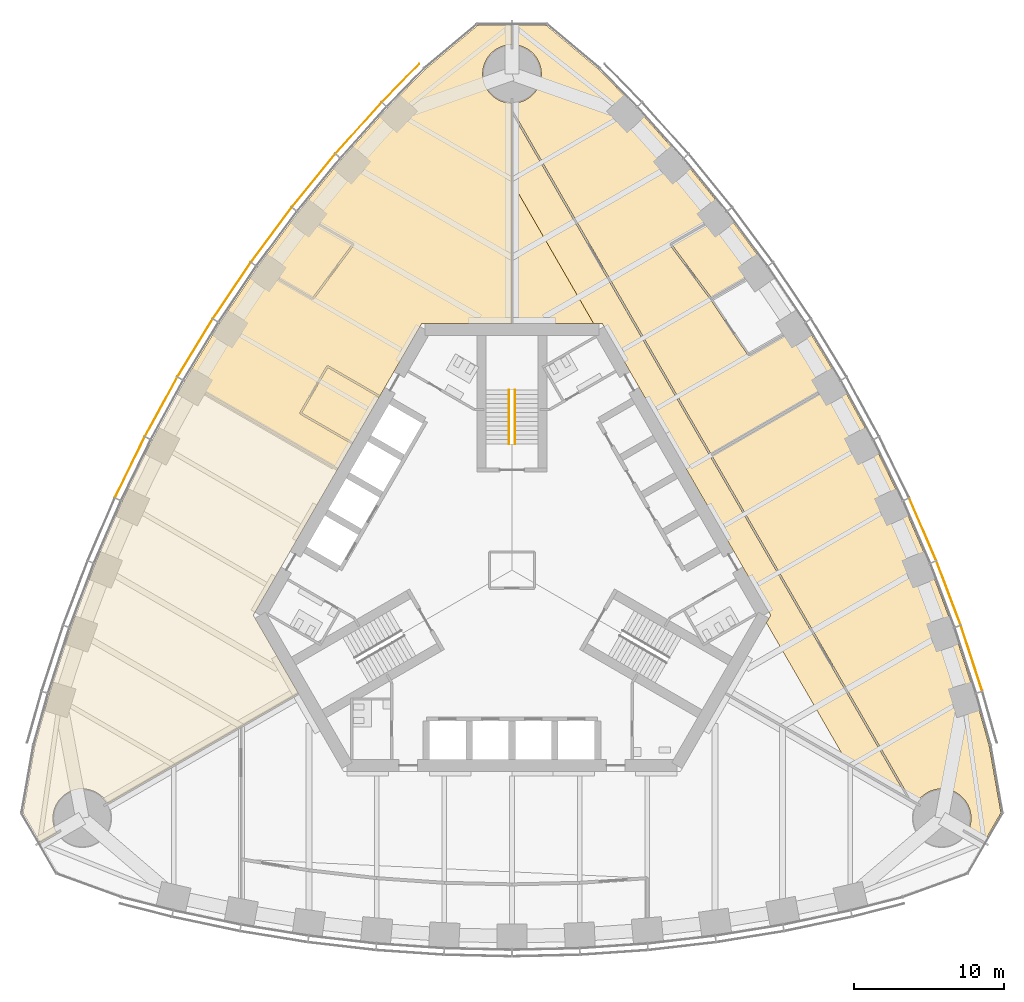
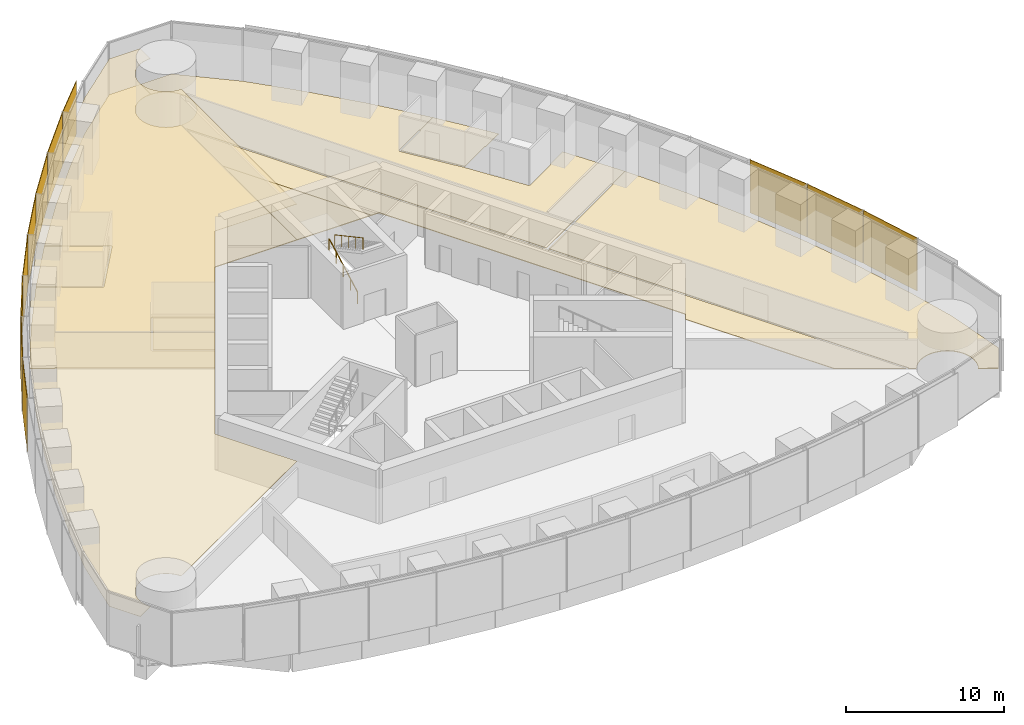
# One storey, part 15 of 18: 11 shading devices, 9 coverings, 2 railings.
"""IFC4 building model written with IfcOpenShell, lengths in metres."""

from ifc_helpers import new_model, si_unit, direction, frame, origin, origin_2d, place, context, subcontext, project, spatial, polyline, rectangle, circle, outline, extrude, material, layer, layer_set, type_object, element, save


model = new_model("IFC4")

# Units and contexts
model_context = context("Model", 3, precision=1e-05, world=origin(), true_north=direction((0.0, 1.0)))
body_context = subcontext(model_context, "Body", "Model", "MODEL_VIEW")
ifc_project = project(units=[si_unit("LENGTHUNIT", "METRE"), si_unit("AREAUNIT", "SQUARE_METRE"), si_unit("VOLUMEUNIT", "CUBIC_METRE"), si_unit("PLANEANGLEUNIT", "RADIAN"), si_unit("MASSUNIT", "GRAM", prefix="KILO")], contexts=[model_context])

# Site, building, storey
site_placement = place(None, origin())
site = spatial("IfcSite", under=ifc_project, at=site_placement, CompositionType="ELEMENT")
building_placement = place(site_placement, origin())
building = spatial("IfcBuilding", under=site, at=building_placement, Name="Trefoil Bronze Tower", CompositionType="ELEMENT")
storey_placement = place(building_placement, frame((0.0, 0.0, 198.10009765625)))
storey = spatial("IfcBuildingStorey", under=building, at=storey_placement, Name="L45", CompositionType="ELEMENT", Elevation=198.10009765625)

# Shading devices
ifc_material_1 = material(Name="Perforated bronze sheet", Category="bronze")
ifc_layer_1 = layer(ifc_material_1, 0.0400390625)
ifc_layer_set_1 = layer_set([ifc_layer_1], Name="Bronze solar screen panel")
shading_device_type = type_object("IfcShadingDeviceType", Name="Bronze solar screen panel", PredefinedType="SHUTTER", material=ifc_layer_set_1)
shading_device_1_placement = place(storey_placement, frame((30.5634765625, -5.86572265625, 0.0498046875), z_axis=(0.0, 0.0, 1.0), x_axis=(-0.310148591821, 0.950688093431, 0.0)))
element("IfcShadingDevice", 1, at=shading_device_1_placement, inside=storey, type_object=shading_device_type, Name="Solar screen CW-A L45 F2 bay 2", PredefinedType="SHUTTER", context=body_context, shape_type="SweptSolid", body=[
    extrude(rectangle(XDim=4.5693359375, YDim=0.0400390625, at=origin_2d()), origin(), (0.0, 0.0, 1.0), 4.10009765625),
])
shading_device_2_placement = place(storey_placement, frame((29.0341796875, -1.52392578125, 0.0498046875), z_axis=(0.0, 0.0, 1.0), x_axis=(-0.354233936517, 0.935156841508, 0.0)))
element("IfcShadingDevice", 2, at=shading_device_2_placement, inside=storey, type_object=shading_device_type, Name="Solar screen CW-A L45 F2 bay 3", PredefinedType="SHUTTER", context=body_context, shape_type="SweptSolid", body=[
    extrude(rectangle(XDim=4.529296875, YDim=0.0400390625, at=origin_2d()), origin(), (0.0, 0.0, 1.0), 4.10009765625),
])
shading_device_3_placement = place(storey_placement, frame((27.317626953125, 2.709716796875, 0.0498046875), z_axis=(0.0, 0.0, 1.0), x_axis=(-0.397220305764, 0.917723285467, 0.0)))
element("IfcShadingDevice", 3, at=shading_device_3_placement, inside=storey, type_object=shading_device_type, Name="Solar screen CW-A L45 F2 bay 4", PredefinedType="SHUTTER", context=body_context, shape_type="SweptSolid", body=[
    extrude(rectangle(XDim=4.5, YDim=0.0400390625, at=origin_2d()), origin(), (0.0, 0.0, 1.0), 4.10009765625),
])
shading_device_4_placement = place(storey_placement, frame((-7.40478515625, 32.40380859375, 0.0498046875), z_axis=(0.0, 0.0, 1.0), x_axis=(-0.698651812425, -0.715461840349, 0.0)))
element("IfcShadingDevice", 4, at=shading_device_4_placement, inside=storey, type_object=shading_device_type, Name="Solar screen CW-A L45 F3 bay 1", PredefinedType="SHUTTER", context=body_context, shape_type="SweptSolid", body=[
    extrude(rectangle(XDim=3.53369140625, YDim=0.0400390625, at=origin_2d()), origin(), (0.0, 0.0, 1.0), 4.10009765625),
])
shading_device_5_placement = place(storey_placement, frame((-10.20166015625, 29.401611328125, 0.0498046875), z_axis=(0.0, 0.0, 1.0), x_axis=(-0.668245744076, -0.743940606181, 0.0)))
element("IfcShadingDevice", 5, at=shading_device_5_placement, inside=storey, type_object=shading_device_type, Name="Solar screen CW-A L45 F3 bay 2", PredefinedType="SHUTTER", context=body_context, shape_type="SweptSolid", body=[
    extrude(rectangle(XDim=4.5693359375, YDim=0.0400390625, at=origin_2d()), origin(), (0.0, 0.0, 1.0), 4.10009765625),
])
shading_device_6_placement = place(storey_placement, frame((-13.197509765625, 25.90625, 0.0498046875), z_axis=(0.0, 0.0, 1.0), x_axis=(-0.63275261301, -0.774354008661, 0.0)))
element("IfcShadingDevice", 6, at=shading_device_6_placement, inside=storey, type_object=shading_device_type, Name="Solar screen CW-A L45 F3 bay 3", PredefinedType="SHUTTER", context=body_context, shape_type="SweptSolid", body=[
    extrude(rectangle(XDim=4.529296875, YDim=0.0400390625, at=origin_2d()), origin(), (0.0, 0.0, 1.0), 4.10009765625),
])
shading_device_7_placement = place(storey_placement, frame((-16.005615234375, 22.302734375, 0.0498046875), z_axis=(0.0, 0.0, 1.0), x_axis=(-0.596161525977, -0.802864518425, 0.0)))
element("IfcShadingDevice", 7, at=shading_device_7_placement, inside=storey, type_object=shading_device_type, Name="Solar screen CW-A L45 F3 bay 4", PredefinedType="SHUTTER", context=body_context, shape_type="SweptSolid", body=[
    extrude(rectangle(XDim=4.5, YDim=0.0400390625, at=origin_2d()), origin(), (0.0, 0.0, 1.0), 4.10009765625),
])
shading_device_8_placement = place(storey_placement, frame((-18.6298828125, 18.59326171875, 0.0498046875), z_axis=(0.0, 0.0, 1.0), x_axis=(-0.558493494706, -0.829508900718, 0.0)))
element("IfcShadingDevice", 8, at=shading_device_8_placement, inside=storey, type_object=shading_device_type, Name="Solar screen CW-A L45 F3 bay 5", PredefinedType="SHUTTER", context=body_context, shape_type="SweptSolid", body=[
    extrude(rectangle(XDim=4.480712890625, YDim=0.0400390625, at=origin_2d()), origin(), (0.0, 0.0, 1.0), 4.10009765625),
])
for number, where, z_axis, x_axis, name in (
    (9, (-21.07275390625, 14.77880859375, 0.0498046875), (0.0, 0.0, 1.0), (-0.519762112739, -0.854311035959, 0.0), "Solar screen CW-A L45 F3 bay 6"),
    (10, (-23.3349609375, 10.860107421875, 0.0498046875), (0.0, 0.0, 1.0), (-0.479974003504, -0.877282711536, 0.0), "Solar screen CW-A L45 F3 bay 7"),
):
    element("IfcShadingDevice", number, at=place(storey_placement, frame(where, z_axis=z_axis, x_axis=x_axis)), inside=storey, type_object=shading_device_type, Name=name, PredefinedType="SHUTTER", context=body_context, shape_type="SweptSolid", body=[
        extrude(rectangle(XDim=4.47119140625, YDim=0.0400390625, at=origin_2d()), origin(), (0.0, 0.0, 1.0), 4.10009765625),
    ])
shading_device_9_placement = place(storey_placement, frame((-25.4169921875, 6.83740234375, 0.0498046875), z_axis=(0.0, 0.0, 1.0), x_axis=(-0.439129033334, -0.898424004623, 0.0)))
element("IfcShadingDevice", 11, at=shading_device_9_placement, inside=storey, type_object=shading_device_type, Name="Solar screen CW-A L45 F3 bay 8", PredefinedType="SHUTTER", context=body_context, shape_type="SweptSolid", body=[
    extrude(rectangle(XDim=4.480712890625, YDim=0.0400390625, at=origin_2d()), origin(), (0.0, 0.0, 1.0), 4.10009765625),
])

# Railings
ifc_material_2 = material(Name="Steel handrail", Category="steel")
railing_type = type_object("IfcRailingType", Name="Handrail 900", PredefinedType="HANDRAIL", material=ifc_material_2)
railing_1_placement = place(storey_placement, frame((-0.199951171875, 8.389892578125, 0.161376953125)))
element("IfcRailing", 12, at=railing_1_placement, inside=storey, type_object=railing_type, Name="Handrail ST2 flight 1 L45", PredefinedType="HANDRAIL", context=body_context, shape_type="SweptSolid", body=[
    extrude(circle(Radius=0.02392578125, at=origin_2d()), frame((0.0, 0.0, 0.8759765625), z_axis=(0.0, 0.880474934443, 0.474092701714), x_axis=(-1.0, 0.0, 0.0)), (0.0, 0.0, 1.0), 4.0888671875),
    extrude(circle(Radius=0.02099609375, at=origin_2d()), origin(), (0.0, 0.0, 1.0), 0.851806640625),
    extrude(circle(Radius=0.02099609375, at=origin_2d()), frame((0.0, 0.89990234375, 0.484619140625)), (0.0, 0.0, 1.0), 0.851806640625),
    extrude(circle(Radius=0.02099609375, at=origin_2d()), frame((0.0, 1.800048828125, 0.96923828125)), (0.0, 0.0, 1.0), 0.851806640625),
    extrude(circle(Radius=0.02099609375, at=origin_2d()), frame((0.0, 2.7001953125, 1.453857421875)), (0.0, 0.0, 1.0), 0.851806640625),
    extrude(circle(Radius=0.02099609375, at=origin_2d()), frame((0.0, 3.60009765625, 1.9384765625)), (0.0, 0.0, 1.0), 0.851806640625),
])
railing_2_placement = place(storey_placement, frame((0.199951171875, 11.989990234375, 2.261474609375)))
element("IfcRailing", 13, at=railing_2_placement, inside=storey, type_object=railing_type, Name="Handrail ST2 flight 2 L45", PredefinedType="HANDRAIL", context=body_context, shape_type="SweptSolid", body=[
    extrude(circle(Radius=0.02392578125, at=origin_2d()), frame((0.0, 0.0, 0.8759765625), z_axis=(0.0, -0.880474934443, 0.474092701714), x_axis=(1.0, 0.0, 0.0)), (0.0, 0.0, 1.0), 4.0888671875),
    extrude(circle(Radius=0.02099609375, at=origin_2d()), origin(), (0.0, 0.0, 1.0), 0.851806640625),
    extrude(circle(Radius=0.02099609375, at=origin_2d()), frame((0.0, -0.89990234375, 0.484619140625)), (0.0, 0.0, 1.0), 0.851806640625),
    extrude(circle(Radius=0.02099609375, at=origin_2d()), frame((0.0, -1.800048828125, 0.96923828125)), (0.0, 0.0, 1.0), 0.851806640625),
    extrude(circle(Radius=0.02099609375, at=origin_2d()), frame((0.0, -2.7001953125, 1.453857421875)), (0.0, 0.0, 1.0), 0.851806640625),
    extrude(circle(Radius=0.02099609375, at=origin_2d()), frame((0.0, -3.60009765625, 1.9384765625)), (0.0, 0.0, 1.0), 0.851806640625),
])

# Coverings
ifc_material_3 = material(Name="Acoustic ceiling panels", Category="mineral fibre")
ifc_layer_2 = layer(ifc_material_3, 0.02001953125)
ifc_layer_set_2 = layer_set([ifc_layer_2], Name="Office ceiling 20")
covering_type_1 = type_object("IfcCoveringType", Name="Office ceiling 20", PredefinedType="CEILING", material=ifc_layer_set_2)
covering_1_placement = place(storey_placement, frame((0.0, 0.0, 2.89990234375)))
element("IfcCovering", 14, at=covering_1_placement, inside=storey, type_object=covering_type_1, Name="Ceiling L45 Open-plan office F3", PredefinedType="CEILING", context=body_context, shape_type="SweptSolid", body=[
    extrude(outline(polyline([(-30.76318359375, -8.219482421875), (-29.3369140625, -3.846923828125), (-27.7216796875, 0.416748046875), (-25.92236328125, 4.573974609375), (-23.94140625, 8.62646484375), (-21.781005859375, 12.5751953125), (-19.44140625, 16.420654296875), (-16.92236328125, 20.162353515625), (-14.2216796875, 23.79931640625), (-11.3369140625, 27.329833984375), (-8.26318359375, 30.751708984375), (-5.7734375, 33.30126953125), (-2.280029296875, 36.232666015625), (-0.013671875, 36.232666015625), (-0.01318359375, 34.94970703125), (-0.095703125, 34.94775390625), (-0.191162109375, 34.940673828125), (-0.2861328125, 34.928955078125), (-0.38037109375, 34.91259765625), (-0.473876953125, 34.8916015625), (-0.566162109375, 34.865966796875), (-0.656982421875, 34.8359375), (-0.74609375, 34.801513671875), (-0.833740234375, 34.7626953125), (-0.919189453125, 34.7197265625), (-1.00244140625, 34.672607421875), (-1.08349609375, 34.621337890625), (-1.16162109375, 34.56640625), (-1.237060546875, 34.50732421875), (-1.3095703125, 34.44482421875), (-1.37890625, 34.37890625), (-1.44482421875, 34.3095703125), (-1.50732421875, 34.237060546875), (-1.56640625, 34.16162109375), (-1.621337890625, 34.08349609375), (-1.672607421875, 34.00244140625), (-1.7197265625, 33.919189453125), (-1.7626953125, 33.833740234375), (-1.801513671875, 33.74609375), (-1.8359375, 33.656982421875), (-1.865966796875, 33.566162109375), (-1.8916015625, 33.473876953125), (-1.91259765625, 33.38037109375), (-1.928955078125, 33.2861328125), (-1.940673828125, 33.191162109375), (-1.94775390625, 33.095703125), (-1.949951171875, 33.0), (-1.94775390625, 32.904296875), (-1.940673828125, 32.808837890625), (-1.928955078125, 32.7138671875), (-1.91259765625, 32.61962890625), (-1.8916015625, 32.526123046875), (-1.865966796875, 32.433837890625), (-1.8359375, 32.343017578125), (-1.801513671875, 32.25390625), (-1.7626953125, 32.166259765625), (-1.7197265625, 32.080810546875), (-1.672607421875, 31.99755859375), (-1.621337890625, 31.91650390625), (-1.56640625, 31.83837890625), (-1.50732421875, 31.762939453125), (-1.44482421875, 31.6904296875), (-1.37890625, 31.62109375), (-1.3095703125, 31.55517578125), (-1.237060546875, 31.49267578125), (-1.16162109375, 31.43359375), (-1.08349609375, 31.378662109375), (-1.00244140625, 31.327392578125), (-0.919189453125, 31.2802734375), (-0.833740234375, 31.2373046875), (-0.74609375, 31.198486328125), (-0.656982421875, 31.1640625), (-0.566162109375, 31.134033203125), (-0.473876953125, 31.1083984375), (-0.38037109375, 31.08740234375), (-0.2861328125, 31.071044921875), (-0.191162109375, 31.059326171875), (-0.095703125, 31.05224609375), (-0.01171875, 31.05029296875), (-0.006103515625, 16.39990234375), (-6.00439453125, 16.39990234375), (-17.205078125, -3.0), (-14.205810546875, -8.194580078125), (-26.896240234375, -15.51513671875), (-26.95751953125, -15.41650390625), (-27.0126953125, -15.33837890625), (-27.071533203125, -15.262939453125), (-27.134033203125, -15.1904296875), (-27.199951171875, -15.12109375), (-27.269287109375, -15.05517578125), (-27.341796875, -14.99267578125), (-27.417236328125, -14.93359375), (-27.49560546875, -14.878662109375), (-27.576416015625, -14.827392578125), (-27.65966796875, -14.7802734375), (-27.7451171875, -14.7373046875), (-27.83251953125, -14.698486328125), (-27.921875, -14.6640625), (-28.0126953125, -14.634033203125), (-28.10498046875, -14.6083984375), (-28.198486328125, -14.58740234375), (-28.292724609375, -14.571044921875), (-28.3876953125, -14.559326171875), (-28.483154296875, -14.55224609375), (-28.578857421875, -14.550048828125), (-28.674560546875, -14.55224609375), (-28.77001953125, -14.559326171875), (-28.864990234375, -14.571044921875), (-28.959228515625, -14.58740234375), (-29.052490234375, -14.6083984375), (-29.14501953125, -14.634033203125), (-29.23583984375, -14.6640625), (-29.3251953125, -14.698486328125), (-29.41259765625, -14.7373046875), (-29.498046875, -14.7802734375), (-29.581298828125, -14.827392578125), (-29.662109375, -14.878662109375), (-29.740478515625, -14.93359375), (-29.81591796875, -14.99267578125), (-29.888427734375, -15.05517578125), (-29.957763671875, -15.12109375), (-30.023681640625, -15.1904296875), (-30.086181640625, -15.262939453125), (-30.14501953125, -15.33837890625), (-30.2001953125, -15.41650390625), (-30.25146484375, -15.49755859375), (-30.298583984375, -15.580810546875), (-30.341552734375, -15.666259765625), (-30.38037109375, -15.75390625), (-30.414794921875, -15.843017578125), (-30.44482421875, -15.933837890625), (-30.470458984375, -16.026123046875), (-30.491455078125, -16.11962890625), (-30.5078125, -16.2138671875), (-30.519287109375, -16.308837890625), (-30.526611328125, -16.404296875), (-30.52880859375, -16.5), (-30.526611328125, -16.595703125), (-30.519287109375, -16.691162109375), (-30.5078125, -16.7861328125), (-30.491455078125, -16.88037109375), (-30.470458984375, -16.973876953125), (-30.44482421875, -17.066162109375), (-30.414794921875, -17.156982421875), (-30.38037109375, -17.24609375), (-30.341552734375, -17.333740234375), (-30.298583984375, -17.419189453125), (-30.273681640625, -17.46337890625), (-31.385009765625, -18.1044921875), (-32.518310546875, -16.1416015625), (-31.7265625, -11.650634765625), (-30.76318359375, -8.219482421875)])), origin(), (0.0, 0.0, 1.0), 0.02001953125),
])
ifc_material_4 = material(Name="Raised access floor panels", Category="steel")
ifc_layer_3 = layer(ifc_material_4, 0.050048828125)
ifc_layer_set_3 = layer_set([ifc_layer_3], Name="Raised access floor 150")
covering_type_2 = type_object("IfcCoveringType", Name="Raised access floor 150", PredefinedType="FLOORING", material=ifc_layer_set_3)
covering_2_placement = place(storey_placement, frame((0.0, 0.0, 0.099853515625)))
element("IfcCovering", 15, at=covering_2_placement, inside=storey, type_object=covering_type_2, Name="Raised floor L45 Meeting room F2", PredefinedType="FLOORING", context=body_context, shape_type="SweptSolid", body=[
    extrude(outline(polyline([(16.92236328125, 20.162353515625), (15.504638671875, 19.343994140625), (15.474609375, 19.39599609375), (13.258056640625, 18.1162109375), (10.62939453125, 21.656005859375), (12.82666015625, 22.924560546875), (12.796630859375, 22.9765625), (14.2216796875, 23.79931640625), (16.92236328125, 20.162353515625)])), origin(), (0.0, 0.0, 1.0), 0.050048828125),
])
covering_3_placement = place(storey_placement, frame((0.0, 0.0, 0.099853515625)))
element("IfcCovering", 16, at=covering_3_placement, inside=storey, type_object=covering_type_2, Name="Raised floor L45 Corridor F2", PredefinedType="FLOORING", context=body_context, shape_type="SweptSolid", body=[
    extrude(outline(polyline([(26.31591796875, -15.180419921875), (22.333740234375, -12.88330078125), (16.91650390625, -3.5), (17.205078125, -3.0), (6.00439453125, 16.39990234375), (5.427001953125, 16.39990234375), (0.009765625, 25.783203125), (0.011474609375, 30.38037109375), (26.31591796875, -15.180419921875)])), origin(), (0.0, 0.0, 1.0), 0.050048828125),
])
covering_4_placement = place(storey_placement, frame((0.0, 0.0, 0.099853515625)))
element("IfcCovering", 17, at=covering_4_placement, inside=storey, type_object=covering_type_2, Name="Raised floor L45 Open-plan office F2", PredefinedType="FLOORING", context=body_context, shape_type="SweptSolid", body=[
    extrude(outline(polyline([(26.40966796875, -15.234375), (26.466552734375, -15.201416015625), (13.304931640625, 7.594970703125), (20.406982421875, 11.6953125), (20.3701171875, 11.759521484375), (21.781494140625, 12.574462890625), (23.94140625, 8.62646484375), (25.92236328125, 4.573974609375), (27.7216796875, 0.416748046875), (29.3369140625, -3.846923828125), (30.76318359375, -8.219482421875), (31.7265625, -11.650634765625), (32.518310546875, -16.1416015625), (31.385009765625, -18.1044921875), (30.273681640625, -17.46337890625), (30.298583984375, -17.419189453125), (30.341552734375, -17.333740234375), (30.38037109375, -17.24609375), (30.414794921875, -17.156982421875), (30.44482421875, -17.066162109375), (30.470458984375, -16.973876953125), (30.491455078125, -16.88037109375), (30.5078125, -16.7861328125), (30.519287109375, -16.691162109375), (30.526611328125, -16.595703125), (30.52880859375, -16.5), (30.526611328125, -16.404296875), (30.519287109375, -16.308837890625), (30.5078125, -16.2138671875), (30.491455078125, -16.11962890625), (30.470458984375, -16.026123046875), (30.44482421875, -15.933837890625), (30.414794921875, -15.843017578125), (30.38037109375, -15.75390625), (30.341552734375, -15.666259765625), (30.298583984375, -15.580810546875), (30.25146484375, -15.49755859375), (30.2001953125, -15.41650390625), (30.14501953125, -15.33837890625), (30.086181640625, -15.262939453125), (30.023681640625, -15.1904296875), (29.957763671875, -15.12109375), (29.888427734375, -15.05517578125), (29.81591796875, -14.99267578125), (29.740478515625, -14.93359375), (29.662109375, -14.878662109375), (29.581298828125, -14.827392578125), (29.498046875, -14.7802734375), (29.41259765625, -14.7373046875), (29.3251953125, -14.698486328125), (29.23583984375, -14.6640625), (29.14501953125, -14.634033203125), (29.052490234375, -14.6083984375), (28.959228515625, -14.58740234375), (28.864990234375, -14.571044921875), (28.77001953125, -14.559326171875), (28.674560546875, -14.55224609375), (28.578857421875, -14.550048828125), (28.483154296875, -14.55224609375), (28.3876953125, -14.559326171875), (28.292724609375, -14.571044921875), (28.198486328125, -14.58740234375), (28.10498046875, -14.6083984375), (28.0126953125, -14.634033203125), (27.921875, -14.6640625), (27.83251953125, -14.698486328125), (27.7451171875, -14.7373046875), (27.65966796875, -14.7802734375), (27.576416015625, -14.827392578125), (27.49560546875, -14.878662109375), (27.417236328125, -14.93359375), (27.341796875, -14.99267578125), (27.269287109375, -15.05517578125), (27.199951171875, -15.12109375), (27.134033203125, -15.1904296875), (27.071533203125, -15.262939453125), (27.0126953125, -15.33837890625), (26.95751953125, -15.41650390625), (26.896240234375, -15.51513671875), (26.40966796875, -15.234375)])), origin(), (0.0, 0.0, 1.0), 0.050048828125),
])
covering_5_placement = place(storey_placement, frame((0.0, 0.0, 0.099853515625)))
element("IfcCovering", 18, at=covering_5_placement, inside=storey, type_object=covering_type_2, Name="Raised floor L45 Open-plan office F2", PredefinedType="FLOORING", context=body_context, shape_type="SweptSolid", body=[
    extrude(outline(polyline([(12.796630859375, 22.9765625), (12.7666015625, 23.028564453125), (10.510986328125, 21.726318359375), (10.541015625, 21.67431640625), (10.492919921875, 21.638671875), (13.192626953125, 18.002685546875), (15.711181640625, 14.26220703125), (15.760986328125, 14.295654296875), (15.791015625, 14.243896484375), (18.058349609375, 15.552978515625), (18.0283203125, 15.60498046875), (19.44140625, 16.420654296875), (21.780517578125, 12.576171875), (20.368896484375, 11.76123046875), (20.33203125, 11.8251953125), (13.22998046875, 7.72509765625), (0.068359375, 30.521484375), (0.011474609375, 30.488525390625), (0.01171875, 31.05029296875), (0.095703125, 31.05224609375), (0.191162109375, 31.059326171875), (0.2861328125, 31.071044921875), (0.38037109375, 31.08740234375), (0.473876953125, 31.1083984375), (0.566162109375, 31.134033203125), (0.656982421875, 31.1640625), (0.74609375, 31.198486328125), (0.833740234375, 31.2373046875), (0.919189453125, 31.2802734375), (1.00244140625, 31.327392578125), (1.08349609375, 31.378662109375), (1.16162109375, 31.43359375), (1.237060546875, 31.49267578125), (1.3095703125, 31.55517578125), (1.37890625, 31.62109375), (1.44482421875, 31.6904296875), (1.50732421875, 31.762939453125), (1.56640625, 31.83837890625), (1.621337890625, 31.91650390625), (1.672607421875, 31.99755859375), (1.7197265625, 32.080810546875), (1.7626953125, 32.166259765625), (1.801513671875, 32.25390625), (1.8359375, 32.343017578125), (1.865966796875, 32.433837890625), (1.8916015625, 32.526123046875), (1.91259765625, 32.61962890625), (1.928955078125, 32.7138671875), (1.940673828125, 32.808837890625), (1.94775390625, 32.904296875), (1.949951171875, 33.0), (1.94775390625, 33.095703125), (1.940673828125, 33.191162109375), (1.928955078125, 33.2861328125), (1.91259765625, 33.38037109375), (1.8916015625, 33.473876953125), (1.865966796875, 33.566162109375), (1.8359375, 33.656982421875), (1.801513671875, 33.74609375), (1.7626953125, 33.833740234375), (1.7197265625, 33.919189453125), (1.672607421875, 34.00244140625), (1.621337890625, 34.08349609375), (1.56640625, 34.16162109375), (1.50732421875, 34.237060546875), (1.44482421875, 34.3095703125), (1.37890625, 34.37890625), (1.3095703125, 34.44482421875), (1.237060546875, 34.50732421875), (1.16162109375, 34.56640625), (1.08349609375, 34.621337890625), (1.00244140625, 34.672607421875), (0.919189453125, 34.7197265625), (0.833740234375, 34.7626953125), (0.74609375, 34.801513671875), (0.656982421875, 34.8359375), (0.566162109375, 34.865966796875), (0.473876953125, 34.8916015625), (0.38037109375, 34.91259765625), (0.2861328125, 34.928955078125), (0.191162109375, 34.940673828125), (0.095703125, 34.94775390625), (0.01318359375, 34.94970703125), (0.013671875, 36.232666015625), (2.280029296875, 36.232666015625), (5.7734375, 33.30126953125), (8.26318359375, 30.751708984375), (11.3369140625, 27.329833984375), (14.2216796875, 23.79931640625), (12.796630859375, 22.9765625)])), origin(), (0.0, 0.0, 1.0), 0.050048828125),
])
covering_6_placement = place(storey_placement, frame((0.0, 0.0, 0.099853515625)))
element("IfcCovering", 19, at=covering_6_placement, inside=storey, type_object=covering_type_2, Name="Raised floor L45 Open-plan office F2", PredefinedType="FLOORING", context=body_context, shape_type="SweptSolid", body=[
    extrude(outline(polyline([(0.006103515625, 16.39990234375), (0.009765625, 25.783203125), (5.427001953125, 16.39990234375), (0.006103515625, 16.39990234375)])), origin(), (0.0, 0.0, 1.0), 0.050048828125),
])
covering_7_placement = place(storey_placement, frame((0.0, 0.0, 0.099853515625)))
element("IfcCovering", 20, at=covering_7_placement, inside=storey, type_object=covering_type_2, Name="Raised floor L45 Meeting room F3", PredefinedType="FLOORING", context=body_context, shape_type="SweptSolid", body=[
    extrude(outline(polyline([(-10.57470703125, 8.48388671875), (-13.98681640625, 10.4541015625), (-12.246826171875, 13.4677734375), (-8.834716796875, 11.497802734375), (-10.57470703125, 8.48388671875)])), origin(), (0.0, 0.0, 1.0), 0.050048828125),
])
covering_8_placement = place(storey_placement, frame((0.0, 0.0, 0.099853515625)))
element("IfcCovering", 21, at=covering_8_placement, inside=storey, type_object=covering_type_2, Name="Raised floor L45 Meeting room F3", PredefinedType="FLOORING", context=body_context, shape_type="SweptSolid", body=[
    extrude(outline(polyline([(-14.2216796875, 23.79931640625), (-12.796630859375, 22.9765625), (-12.82666015625, 22.924560546875), (-10.62939453125, 21.656005859375), (-13.258056640625, 18.1162109375), (-15.474609375, 19.39599609375), (-15.504638671875, 19.343994140625), (-16.92236328125, 20.162353515625), (-14.2216796875, 23.79931640625)])), origin(), (0.0, 0.0, 1.0), 0.050048828125),
])
covering_9_placement = place(storey_placement, frame((0.0, 0.0, 0.099853515625)))
element("IfcCovering", 22, at=covering_9_placement, inside=storey, type_object=covering_type_2, Name="Raised floor L45 Open-plan office F3", PredefinedType="FLOORING", context=body_context, shape_type="SweptSolid", body=[
    extrude(outline(polyline([(-16.92236328125, 20.162353515625), (-15.504638671875, 19.343994140625), (-15.53466796875, 19.2919921875), (-13.271728515625, 17.985595703125), (-13.24169921875, 18.037353515625), (-13.193603515625, 18.001708984375), (-10.492919921875, 21.638671875), (-10.541015625, 21.67431640625), (-10.510986328125, 21.726318359375), (-12.7666015625, 23.028564453125), (-12.796630859375, 22.9765625), (-14.2216796875, 23.79931640625), (-11.3369140625, 27.329833984375), (-8.26318359375, 30.751708984375), (-5.7734375, 33.30126953125), (-2.280029296875, 36.232666015625), (-0.013671875, 36.232666015625), (-0.01318359375, 34.94970703125), (-0.095703125, 34.94775390625), (-0.191162109375, 34.940673828125), (-0.2861328125, 34.928955078125), (-0.38037109375, 34.91259765625), (-0.473876953125, 34.8916015625), (-0.566162109375, 34.865966796875), (-0.656982421875, 34.8359375), (-0.74609375, 34.801513671875), (-0.833740234375, 34.7626953125), (-0.919189453125, 34.7197265625), (-1.00244140625, 34.672607421875), (-1.08349609375, 34.621337890625), (-1.16162109375, 34.56640625), (-1.237060546875, 34.50732421875), (-1.3095703125, 34.44482421875), (-1.37890625, 34.37890625), (-1.44482421875, 34.3095703125), (-1.50732421875, 34.237060546875), (-1.56640625, 34.16162109375), (-1.621337890625, 34.08349609375), (-1.672607421875, 34.00244140625), (-1.7197265625, 33.919189453125), (-1.7626953125, 33.833740234375), (-1.801513671875, 33.74609375), (-1.8359375, 33.656982421875), (-1.865966796875, 33.566162109375), (-1.8916015625, 33.473876953125), (-1.91259765625, 33.38037109375), (-1.928955078125, 33.2861328125), (-1.940673828125, 33.191162109375), (-1.94775390625, 33.095703125), (-1.949951171875, 33.0), (-1.94775390625, 32.904296875), (-1.940673828125, 32.808837890625), (-1.928955078125, 32.7138671875), (-1.91259765625, 32.61962890625), (-1.8916015625, 32.526123046875), (-1.865966796875, 32.433837890625), (-1.8359375, 32.343017578125), (-1.801513671875, 32.25390625), (-1.7626953125, 32.166259765625), (-1.7197265625, 32.080810546875), (-1.672607421875, 31.99755859375), (-1.621337890625, 31.91650390625), (-1.56640625, 31.83837890625), (-1.50732421875, 31.762939453125), (-1.44482421875, 31.6904296875), (-1.37890625, 31.62109375), (-1.3095703125, 31.55517578125), (-1.237060546875, 31.49267578125), (-1.16162109375, 31.43359375), (-1.08349609375, 31.378662109375), (-1.00244140625, 31.327392578125), (-0.919189453125, 31.2802734375), (-0.833740234375, 31.2373046875), (-0.74609375, 31.198486328125), (-0.656982421875, 31.1640625), (-0.566162109375, 31.134033203125), (-0.473876953125, 31.1083984375), (-0.38037109375, 31.08740234375), (-0.2861328125, 31.071044921875), (-0.191162109375, 31.059326171875), (-0.095703125, 31.05224609375), (-0.01171875, 31.05029296875), (-0.006103515625, 16.39990234375), (-6.00439453125, 16.39990234375), (-8.774658203125, 11.601806640625), (-12.23876953125, 13.601806640625), (-12.268798828125, 13.5498046875), (-12.32080078125, 13.57958984375), (-14.120849609375, 10.462158203125), (-14.06884765625, 10.43212890625), (-14.098876953125, 10.380126953125), (-10.634765625, 8.380126953125), (-11.604248046875, 6.700927734375), (-11.61279296875, 6.705810546875), (-11.575927734375, 6.77001953125), (-20.33203125, 11.8251953125), (-20.368896484375, 11.76123046875), (-21.780517578125, 12.576171875), (-19.44140625, 16.420654296875), (-16.92236328125, 20.162353515625)])), origin(), (0.0, 0.0, 1.0), 0.050048828125),
])

save(model, "model.ifc")
